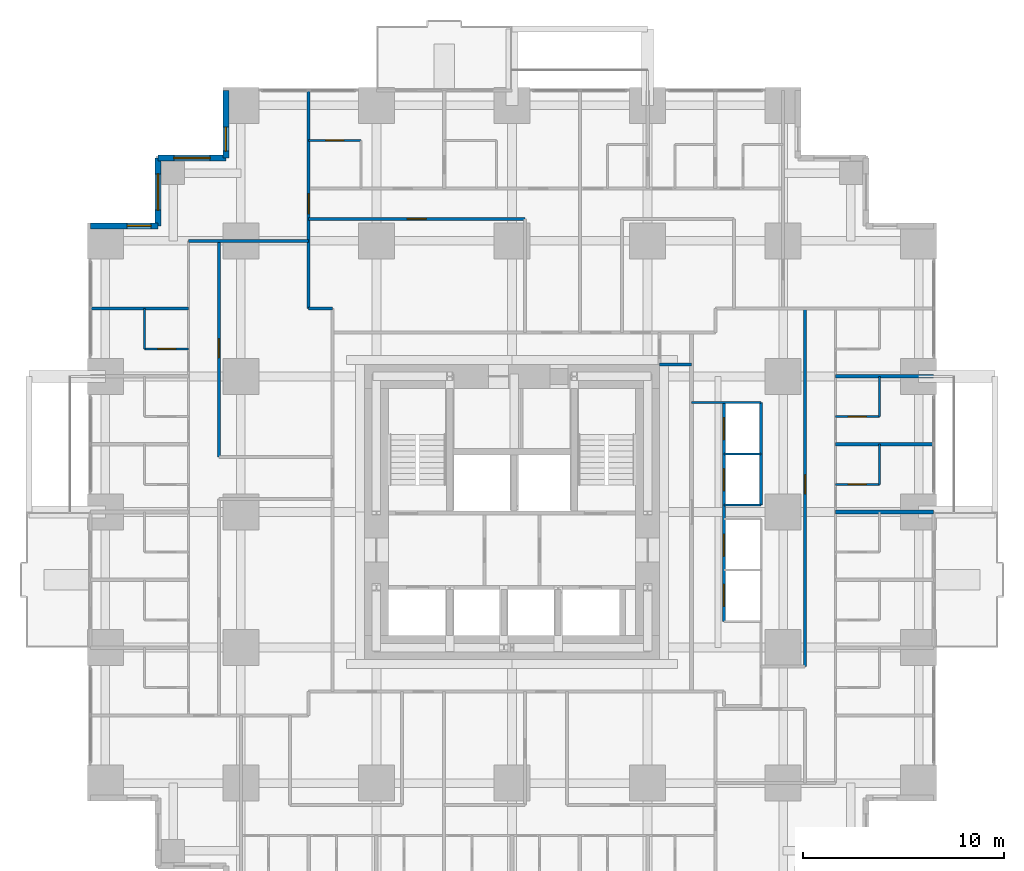
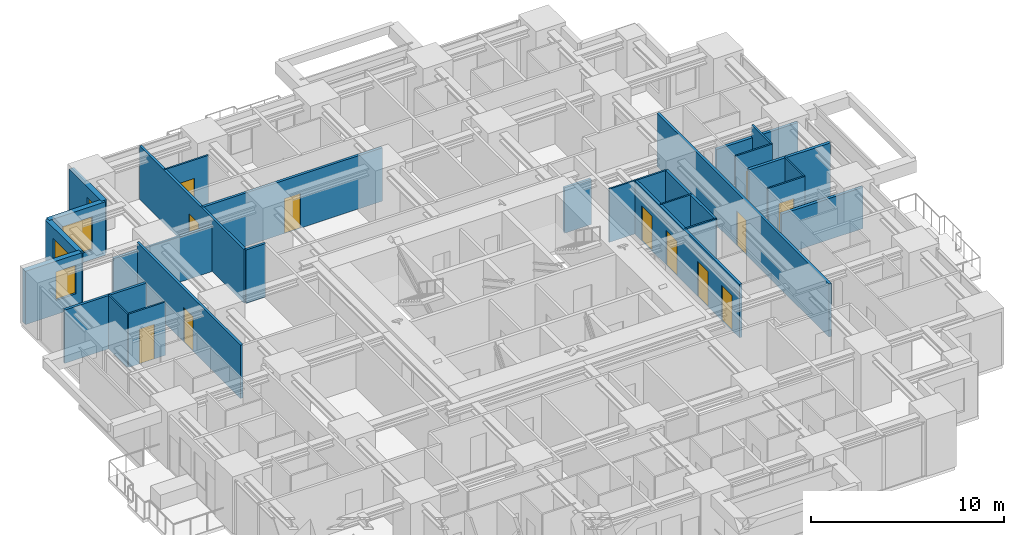
# One storey, part 12 of 15: 27 walls, 12 doors, 4 windows, 16 openings.
"""IFC4 building model written with IfcOpenShell, lengths in metres."""

from ifc_helpers import new_model, si_unit, direction, frame, frame_2d, origin, place, context, subcontext, project, spatial, rectangle, extrude, material, layer, layer_set, type_object, element, fill, save


model = new_model("IFC4")

# Units and contexts
model_context = context("Model", 3, precision=1e-05, world=origin(), true_north=direction((0.0, 1.0)))
body_context = subcontext(model_context, "Body", "Model", "MODEL_VIEW")
ifc_project = project(units=[si_unit("LENGTHUNIT", "METRE"), si_unit("AREAUNIT", "SQUARE_METRE"), si_unit("VOLUMEUNIT", "CUBIC_METRE"), si_unit("PLANEANGLEUNIT", "RADIAN"), si_unit("MASSUNIT", "GRAM", prefix="KILO")], contexts=[model_context])

# Site, building, storey
site_placement = place(None, origin())
site = spatial("IfcSite", under=ifc_project, at=site_placement, CompositionType="ELEMENT")
building_placement = place(site_placement, origin())
building = spatial("IfcBuilding", under=site, at=building_placement, Name="Nyansa Garden Tower", CompositionType="ELEMENT")
storey_placement = place(building_placement, frame((0.0, 0.0, 61.199951171875)))
storey = spatial("IfcBuildingStorey", under=building, at=storey_placement, Name="L16", CompositionType="ELEMENT", Elevation=61.199951171875)

# Walls
ifc_material_1 = material(Name="Dense blockwork, plastered both sides, 55 dB", Category="masonry")
ifc_layer_1 = layer(ifc_material_1, 0.175048828125)
ifc_layer_set_1 = layer_set([ifc_layer_1], Name="Acoustic party wall PW175")
wall_type_1 = type_object("IfcWallType", Name="Acoustic party wall PW175", PredefinedType="PARTITIONING", material=ifc_layer_set_1)
wall_1_placement = place(storey_placement, frame((36.35009765625, 20.25, 0.0), z_axis=(0.0, 0.0, 1.0), x_axis=(1.0, 0.0, 0.0)))
element("IfcWall", 1, at=wall_1_placement, inside=storey, type_object=wall_type_1, Name="Party wall", PredefinedType="PARTITIONING", context=body_context, shape_type="SweptSolid", body=[
    extrude(rectangle(XDim=4.8837890625, YDim=0.175048828125, at=frame_2d((2.44189453125, 0.0))), origin(), (0.0, 0.0, 1.0), 2.610107421875),
])
wall_2_placement = place(storey_placement, frame((36.35009765625, 23.625, 0.0), z_axis=(0.0, 0.0, 1.0), x_axis=(1.0, 0.0, 0.0)))
element("IfcWall", 2, at=wall_2_placement, inside=storey, type_object=wall_type_1, Name="Party wall", PredefinedType="PARTITIONING", context=body_context, shape_type="SweptSolid", body=[
    extrude(rectangle(XDim=4.8837890625, YDim=0.175048828125, at=frame_2d((2.44189453125, 0.0))), origin(), (0.0, 0.0, 1.0), 3.375),
])
wall_3_placement = place(storey_placement, frame((36.35009765625, 27.0, 0.0), z_axis=(0.0, 0.0, 1.0), x_axis=(1.0, 0.0, 0.0)))
element("IfcWall", 3, at=wall_3_placement, inside=storey, type_object=wall_type_1, Name="Party wall", PredefinedType="PARTITIONING", context=body_context, shape_type="SweptSolid", body=[
    extrude(rectangle(XDim=4.8837890625, YDim=0.175048828125, at=frame_2d((2.44189453125, 0.0))), origin(), (0.0, 0.0, 1.0), 2.610107421875),
])
ifc_material_2 = material(Name="Steel-stud shaft wall, two layers fire-rated board, EI 120", Category="steel")
ifc_layer_2 = layer(ifc_material_2, 0.10009765625)
ifc_layer_set_2 = layer_set([ifc_layer_2], Name="Lift shaft wall SW100")
wall_type_2 = type_object("IfcWallType", Name="Lift shaft wall SW100", PredefinedType="SHEAR", material=ifc_layer_set_2)
wall_4_placement = place(storey_placement, frame((29.199951171875, 25.699951171875, 0.0), z_axis=(0.0, 0.0, 1.0), x_axis=(1.0, 0.0, 0.0)))
element("IfcWall", 4, at=wall_4_placement, inside=storey, type_object=wall_type_2, Name="Lift shaft wall", PredefinedType="SHEAR", context=body_context, shape_type="SweptSolid", body=[
    extrude(rectangle(XDim=3.449951171875, YDim=0.10009765625, at=frame_2d((1.72509765625, 0.0))), origin(), (0.0, 0.0, 1.0), 3.375),
])
for number, where, z_axis, x_axis, name in (
    (5, (30.800048828125, 20.60009765625, 0.0), (0.0, 0.0, 1.0), (1.0, 0.0, 0.0), "Lift shaft wall"),
    (6, (30.800048828125, 23.14990234375, 0.0), (0.0, 0.0, 1.0), (1.0, 0.0, 0.0), "Lift shaft wall"),
):
    element("IfcWall", number, at=place(storey_placement, frame(where, z_axis=z_axis, x_axis=x_axis)), inside=storey, type_object=wall_type_2, Name=name, PredefinedType="SHEAR", context=body_context, shape_type="SweptSolid", body=[
        extrude(rectangle(XDim=1.849853515625, YDim=0.10009765625, at=frame_2d((0.9248046875, 0.0))), origin(), (0.0, 0.0, 1.0), 3.375),
    ])
ifc_material_3 = material(Name="Blockwork, plastered both sides", Category="masonry")
ifc_layer_3 = layer(ifc_material_3, 0.14990234375)
ifc_layer_set_3 = layer_set([ifc_layer_3], Name="Partition PW150")
wall_type_3 = type_object("IfcWallType", Name="Partition PW150", PredefinedType="PARTITIONING", material=ifc_layer_set_3)
wall_5_placement = place(storey_placement, frame((-0.73388671875, 30.375, 0.0), z_axis=(0.0, 0.0, 1.0), x_axis=(1.0, 0.0, 0.0)))
element("IfcWall", 7, at=wall_5_placement, inside=storey, type_object=wall_type_3, Name="Partition", PredefinedType="PARTITIONING", context=body_context, shape_type="SweptSolid", body=[
    extrude(rectangle(XDim=4.8837890625, YDim=0.14990234375, at=frame_2d((2.44189453125, 0.0))), origin(), (0.0, 0.0, 1.0), 3.375),
])
wall_6_placement = place(storey_placement, frame((4.14990234375, 33.75, 0.0), z_axis=(0.0, 0.0, 1.0), x_axis=(1.0, 0.0, 0.0)))
element("IfcWall", 8, at=wall_6_placement, inside=storey, type_object=wall_type_3, Name="Partition", PredefinedType="PARTITIONING", context=body_context, shape_type="SweptSolid", body=[
    extrude(rectangle(XDim=5.97509765625, YDim=0.14990234375, at=frame_2d((2.987548828125, 0.0))), origin(), (0.0, 0.0, 1.0), 2.876953125),
])

# Wall, opening, door
wall_7_placement = place(storey_placement, frame((5.64990234375, 22.987548828125, 0.0), z_axis=(0.0, 0.0, 1.0), x_axis=(0.0, 1.0, 0.0)))
wall_7 = element("IfcWall", 9, at=wall_7_placement, inside=storey, type_object=wall_type_3, Name="Partition", PredefinedType="PARTITIONING", context=body_context, shape_type="SweptSolid", body=[
    extrude(rectangle(XDim=10.762451171875, YDim=0.14990234375, at=frame_2d((5.38134765625, 0.0))), origin(), (0.0, 0.0, 1.0), 3.375),
])
opening_1_placement = place(wall_7_placement, frame((4.949951171875, 0.0, 0.0)))
opening_1 = element("IfcOpeningElement", 10, at=opening_1_placement, cuts=wall_7, Name="Opening D01", PredefinedType="OPENING", context=body_context, shape_type="SweptSolid", body=[
    extrude(rectangle(XDim=0.949951171875, YDim=2.199951171875, at=frame_2d((0.47509765625, 1.10009765625))), frame((0.0, 0.0849609375, 0.0), z_axis=(0.0, -1.0, 0.0), x_axis=(1.0, 0.0, 0.0)), (0.0, 0.0, 1.0), 0.169921875),
])
ifc_material_4 = material(Name="Timber flush door, 30 minute fire resisting", Category="wood")
door_type_1 = type_object("IfcDoorType", Name="Bedroom door D01 950x2200", OperationType="SINGLE_SWING_LEFT", PredefinedType="DOOR", material=ifc_material_4)
door_1_placement = place(opening_1_placement, origin())
door_1 = element("IfcDoor", 11, at=door_1_placement, inside=storey, type_object=door_type_1, Name="Door L16-083", OperationType="SINGLE_SWING_LEFT", OverallHeight=2.199951171875, OverallWidth=0.949951171875, PredefinedType="DOOR", context=body_context, shape_type="SweptSolid", body=[
    extrude(rectangle(XDim=0.949951171875, YDim=2.199951171875, at=frame_2d((0.47509765625, 1.10009765625))), frame((0.0, 0.02490234375, 0.0), z_axis=(0.0, -1.0, 0.0), x_axis=(1.0, 0.0, 0.0)), (0.0, 0.0, 1.0), 0.050048828125),
])
fill(opening_1, door_1)

wall_8_placement = place(storey_placement, frame((10.125, 30.375, 0.0), z_axis=(0.0, 0.0, 1.0), x_axis=(0.0, 1.0, 0.0)))
wall_8 = element("IfcWall", 12, at=wall_8_placement, inside=storey, type_object=wall_type_3, Name="Partition", PredefinedType="PARTITIONING", context=body_context, shape_type="SweptSolid", body=[
    extrude(rectangle(XDim=10.85888671875, YDim=0.14990234375, at=frame_2d((5.429443359375, 0.0))), origin(), (0.0, 0.0, 1.0), 3.375),
])
opening_2_placement = place(wall_8_placement, frame((4.72509765625, 0.0, 0.0)))
opening_2 = element("IfcOpeningElement", 13, at=opening_2_placement, cuts=wall_8, Name="Opening D03", PredefinedType="OPENING", context=body_context, shape_type="SweptSolid", body=[
    extrude(rectangle(XDim=1.0, YDim=2.199951171875, at=frame_2d((0.5, 1.10009765625))), frame((0.0, 0.0849609375, 0.0), z_axis=(0.0, -1.0, 0.0), x_axis=(1.0, 0.0, 0.0)), (0.0, 0.0, 1.0), 0.169921875),
])
ifc_material_5 = material(Name="Timber flush door, 60 minute fire resisting", Category="wood")
door_type_2 = type_object("IfcDoorType", Name="Cluster entrance door D03 1000x2200", OperationType="SINGLE_SWING_LEFT", PredefinedType="DOOR", material=ifc_material_5)
door_2_placement = place(opening_2_placement, origin())
door_2 = element("IfcDoor", 14, at=door_2_placement, inside=storey, type_object=door_type_2, Name="Door L16-068", OperationType="SINGLE_SWING_LEFT", OverallHeight=2.199951171875, OverallWidth=1.0, PredefinedType="DOOR", context=body_context, shape_type="SweptSolid", body=[
    extrude(rectangle(XDim=1.0, YDim=2.199951171875, at=frame_2d((0.5, 1.10009765625))), frame((0.0, 0.02490234375, 0.0), z_axis=(0.0, -1.0, 0.0), x_axis=(1.0, 0.0, 0.0)), (0.0, 0.0, 1.0), 0.050048828125),
])
fill(opening_2, door_2)

# Wall
wall_9_placement = place(storey_placement, frame((10.125, 30.375, 0.0), z_axis=(0.0, 0.0, 1.0), x_axis=(1.0, 0.0, 0.0)))
element("IfcWall", 15, at=wall_9_placement, inside=storey, type_object=wall_type_3, Name="Partition", PredefinedType="PARTITIONING", context=body_context, shape_type="SweptSolid", body=[
    extrude(rectangle(XDim=1.175048828125, YDim=0.14990234375, at=frame_2d((0.58740234375, 0.0))), origin(), (0.0, 0.0, 1.0), 3.375),
])

# Wall, opening, door
wall_10_placement = place(storey_placement, frame((10.125, 34.85009765625, 0.0), z_axis=(0.0, 0.0, 1.0), x_axis=(1.0, 0.0, 0.0)))
wall_10 = element("IfcWall", 16, at=wall_10_placement, inside=storey, type_object=wall_type_3, Name="Partition", PredefinedType="PARTITIONING", context=body_context, shape_type="SweptSolid", body=[
    extrude(rectangle(XDim=10.762451171875, YDim=0.14990234375, at=frame_2d((5.38134765625, 0.0))), origin(), (0.0, 0.0, 1.0), 3.375),
])
opening_3_placement = place(wall_10_placement, frame((4.89990234375, 0.0, 0.0)))
opening_3 = element("IfcOpeningElement", 17, at=opening_3_placement, cuts=wall_10, Name="Opening D01", PredefinedType="OPENING", context=body_context, shape_type="SweptSolid", body=[
    extrude(rectangle(XDim=0.949951171875, YDim=2.199951171875, at=frame_2d((0.47509765625, 1.10009765625))), frame((0.0, 0.0849609375, 0.0), z_axis=(0.0, -1.0, 0.0), x_axis=(1.0, 0.0, 0.0)), (0.0, 0.0, 1.0), 0.169921875),
])
door_3_placement = place(opening_3_placement, origin())
door_3 = element("IfcDoor", 18, at=door_3_placement, inside=storey, type_object=door_type_1, Name="Door L16-067", OperationType="SINGLE_SWING_LEFT", OverallHeight=2.199951171875, OverallWidth=0.949951171875, PredefinedType="DOOR", context=body_context, shape_type="SweptSolid", body=[
    extrude(rectangle(XDim=0.949951171875, YDim=2.199951171875, at=frame_2d((0.47509765625, 1.10009765625))), frame((0.0, 0.02490234375, 0.0), z_axis=(0.0, -1.0, 0.0), x_axis=(1.0, 0.0, 0.0)), (0.0, 0.0, 1.0), 0.050048828125),
])
fill(opening_3, door_3)

# Wall
wall_11_placement = place(storey_placement, frame((27.60009765625, 27.60009765625, 0.0), z_axis=(0.0, 0.0, 1.0), x_axis=(1.0, 0.0, 0.0)))
element("IfcWall", 19, at=wall_11_placement, inside=storey, type_object=wall_type_3, Name="Partition", PredefinedType="PARTITIONING", context=body_context, shape_type="SweptSolid", body=[
    extrude(rectangle(XDim=1.599853515625, YDim=0.14990234375, at=frame_2d((0.7998046875, 0.0))), origin(), (0.0, 0.0, 1.0), 2.876953125),
])

# Wall, openings, doors
wall_12_placement = place(storey_placement, frame((30.800048828125, 14.800048828125, 0.0), z_axis=(0.0, 0.0, 1.0), x_axis=(0.0, 1.0, 0.0)))
wall_12 = element("IfcWall", 20, at=wall_12_placement, inside=storey, type_object=wall_type_3, Name="Partition", PredefinedType="PARTITIONING", context=body_context, shape_type="SweptSolid", body=[
    extrude(rectangle(XDim=10.89990234375, YDim=0.14990234375, at=frame_2d((5.449951171875, 0.0))), origin(), (0.0, 0.0, 1.0), 3.375),
])
opening_4_placement = place(wall_12_placement, frame((0.75, 0.0, 0.0)))
opening_4 = element("IfcOpeningElement", 21, at=opening_4_placement, cuts=wall_12, Name="Opening LD-A", PredefinedType="OPENING", context=body_context, shape_type="SweptSolid", body=[
    extrude(rectangle(XDim=1.10009765625, YDim=2.199951171875, at=frame_2d((0.550048828125, 1.10009765625))), frame((0.0, 0.0849609375, 0.0), z_axis=(0.0, -1.0, 0.0), x_axis=(1.0, 0.0, 0.0)), (0.0, 0.0, 1.0), 0.169921875),
])
opening_5_placement = place(wall_12_placement, frame((3.25, 0.0, 0.0)))
opening_5 = element("IfcOpeningElement", 22, at=opening_5_placement, cuts=wall_12, Name="Opening LD-A", PredefinedType="OPENING", context=body_context, shape_type="SweptSolid", body=[
    extrude(rectangle(XDim=1.10009765625, YDim=2.199951171875, at=frame_2d((0.550048828125, 1.10009765625))), frame((0.0, 0.0849609375, 0.0), z_axis=(0.0, -1.0, 0.0), x_axis=(1.0, 0.0, 0.0)), (0.0, 0.0, 1.0), 0.169921875),
])
opening_6_placement = place(wall_12_placement, frame((6.5, 0.0, 0.0)))
opening_6 = element("IfcOpeningElement", 23, at=opening_6_placement, cuts=wall_12, Name="Opening LD-A", PredefinedType="OPENING", context=body_context, shape_type="SweptSolid", body=[
    extrude(rectangle(XDim=1.10009765625, YDim=2.199951171875, at=frame_2d((0.550048828125, 1.10009765625))), frame((0.0, 0.0849609375, 0.0), z_axis=(0.0, -1.0, 0.0), x_axis=(1.0, 0.0, 0.0)), (0.0, 0.0, 1.0), 0.169921875),
])
opening_7_placement = place(wall_12_placement, frame((9.050048828125, 0.0, 0.0)))
opening_7 = element("IfcOpeningElement", 24, at=opening_7_placement, cuts=wall_12, Name="Opening LD-A", PredefinedType="OPENING", context=body_context, shape_type="SweptSolid", body=[
    extrude(rectangle(XDim=1.10009765625, YDim=2.199951171875, at=frame_2d((0.550048828125, 1.10009765625))), frame((0.0, 0.0849609375, 0.0), z_axis=(0.0, -1.0, 0.0), x_axis=(1.0, 0.0, 0.0)), (0.0, 0.0, 1.0), 0.169921875),
])
ifc_material_6 = material(Name="Stainless steel centre-opening landing door of the low-rise lift, E 120", Category="steel")
door_type_3 = type_object("IfcDoorType", Name="Lift landing door LD-A 1100x2200", OperationType="DOUBLE_DOOR_SLIDING", PredefinedType="DOOR", material=ifc_material_6)
door_4_placement = place(opening_4_placement, origin())
door_4 = element("IfcDoor", 25, at=door_4_placement, inside=storey, type_object=door_type_3, Name="Landing door A1", OperationType="DOUBLE_DOOR_SLIDING", OverallHeight=2.199951171875, OverallWidth=1.10009765625, PredefinedType="DOOR", context=body_context, shape_type="SweptSolid", body=[
    extrude(rectangle(XDim=1.10009765625, YDim=2.199951171875, at=frame_2d((0.550048828125, 1.10009765625))), frame((0.0, 0.02490234375, 0.0), z_axis=(0.0, -1.0, 0.0), x_axis=(1.0, 0.0, 0.0)), (0.0, 0.0, 1.0), 0.050048828125),
])
fill(opening_4, door_4)
door_5_placement = place(opening_5_placement, origin())
door_5 = element("IfcDoor", 26, at=door_5_placement, inside=storey, type_object=door_type_3, Name="Landing door A2", OperationType="DOUBLE_DOOR_SLIDING", OverallHeight=2.199951171875, OverallWidth=1.10009765625, PredefinedType="DOOR", context=body_context, shape_type="SweptSolid", body=[
    extrude(rectangle(XDim=1.10009765625, YDim=2.199951171875, at=frame_2d((0.550048828125, 1.10009765625))), frame((0.0, 0.02490234375, 0.0), z_axis=(0.0, -1.0, 0.0), x_axis=(1.0, 0.0, 0.0)), (0.0, 0.0, 1.0), 0.050048828125),
])
fill(opening_5, door_5)
door_6_placement = place(opening_6_placement, origin())
door_6 = element("IfcDoor", 27, at=door_6_placement, inside=storey, type_object=door_type_3, Name="Landing door A3", OperationType="DOUBLE_DOOR_SLIDING", OverallHeight=2.199951171875, OverallWidth=1.10009765625, PredefinedType="DOOR", context=body_context, shape_type="SweptSolid", body=[
    extrude(rectangle(XDim=1.10009765625, YDim=2.199951171875, at=frame_2d((0.550048828125, 1.10009765625))), frame((0.0, 0.02490234375, 0.0), z_axis=(0.0, -1.0, 0.0), x_axis=(1.0, 0.0, 0.0)), (0.0, 0.0, 1.0), 0.050048828125),
])
fill(opening_6, door_6)
door_7_placement = place(opening_7_placement, origin())
door_7 = element("IfcDoor", 28, at=door_7_placement, inside=storey, type_object=door_type_3, Name="Landing door A4", OperationType="DOUBLE_DOOR_SLIDING", OverallHeight=2.199951171875, OverallWidth=1.10009765625, PredefinedType="DOOR", context=body_context, shape_type="SweptSolid", body=[
    extrude(rectangle(XDim=1.10009765625, YDim=2.199951171875, at=frame_2d((0.550048828125, 1.10009765625))), frame((0.0, 0.02490234375, 0.0), z_axis=(0.0, -1.0, 0.0), x_axis=(1.0, 0.0, 0.0)), (0.0, 0.0, 1.0), 0.050048828125),
])
fill(opening_7, door_7)

# Wall
wall_13_placement = place(storey_placement, frame((32.64990234375, 20.60009765625, 0.0), z_axis=(0.0, 0.0, 1.0), x_axis=(0.0, 1.0, 0.0)))
element("IfcWall", 29, at=wall_13_placement, inside=storey, type_object=wall_type_3, Name="Partition", PredefinedType="PARTITIONING", context=body_context, shape_type="SweptSolid", body=[
    extrude(rectangle(XDim=5.099853515625, YDim=0.14990234375, at=frame_2d((2.5498046875, 0.0))), origin(), (0.0, 0.0, 1.0), 3.375),
])

# Wall, opening, door
wall_14_placement = place(storey_placement, frame((34.85009765625, 12.550048828125, 0.0), z_axis=(0.0, 0.0, 1.0), x_axis=(0.0, 1.0, 0.0)))
wall_14 = element("IfcWall", 30, at=wall_14_placement, inside=storey, type_object=wall_type_3, Name="Partition", PredefinedType="PARTITIONING", context=body_context, shape_type="SweptSolid", body=[
    extrude(rectangle(XDim=17.824951171875, YDim=0.14990234375, at=frame_2d((8.91259765625, 0.0))), origin(), (0.0, 0.0, 1.0), 3.375),
])
opening_8_placement = place(wall_14_placement, frame((8.60009765625, 0.0, 0.0)))
opening_8 = element("IfcOpeningElement", 31, at=opening_8_placement, cuts=wall_14, Name="Opening D01", PredefinedType="OPENING", context=body_context, shape_type="SweptSolid", body=[
    extrude(rectangle(XDim=0.949951171875, YDim=2.199951171875, at=frame_2d((0.47509765625, 1.10009765625))), frame((0.0, 0.0849609375, 0.0), z_axis=(0.0, -1.0, 0.0), x_axis=(1.0, 0.0, 0.0)), (0.0, 0.0, 1.0), 0.169921875),
])
door_8_placement = place(opening_8_placement, origin())
door_8 = element("IfcDoor", 32, at=door_8_placement, inside=storey, type_object=door_type_1, Name="Door L16-051", OperationType="SINGLE_SWING_LEFT", OverallHeight=2.199951171875, OverallWidth=0.949951171875, PredefinedType="DOOR", context=body_context, shape_type="SweptSolid", body=[
    extrude(rectangle(XDim=0.949951171875, YDim=2.199951171875, at=frame_2d((0.47509765625, 1.10009765625))), frame((0.0, 0.02490234375, 0.0), z_axis=(0.0, -1.0, 0.0), x_axis=(1.0, 0.0, 0.0)), (0.0, 0.0, 1.0), 0.050048828125),
])
fill(opening_8, door_8)

# Wall, opening, window
ifc_material_7 = material(Name="Turquoise glazed tile on concrete blockwork", Category="masonry")
ifc_layer_4 = layer(ifc_material_7, 0.300048828125)
ifc_layer_set_4 = layer_set([ifc_layer_4], Name="Tiled corner wall TW300")
wall_type_4 = type_object("IfcWallType", Name="Tiled corner wall TW300", PredefinedType="SOLIDWALL", material=ifc_layer_set_4)
wall_15_placement = place(storey_placement, frame((6.0, 41.25, 0.0), z_axis=(0.0, 0.0, 1.0), x_axis=(0.0, -1.0, 0.0)))
wall_15 = element("IfcWall", 33, at=wall_15_placement, inside=storey, type_object=wall_type_4, Name="Tiled corner wall L16", PredefinedType="SOLIDWALL", context=body_context, shape_type="SweptSolid", body=[
    extrude(rectangle(XDim=3.375, YDim=0.300048828125, at=frame_2d((1.6875, 0.0))), origin(), (0.0, 0.0, 1.0), 3.375),
])
opening_9_placement = place(wall_15_placement, frame((1.83251953125, 0.0, 0.89990234375)))
opening_9 = element("IfcOpeningElement", 34, at=opening_9_placement, cuts=wall_15, Name="Opening W4", PredefinedType="OPENING", context=body_context, shape_type="SweptSolid", body=[
    extrude(rectangle(XDim=1.199951171875, YDim=1.800048828125, at=frame_2d((0.60009765625, 0.89990234375))), frame((0.0, 0.159912109375, 0.0), z_axis=(0.0, -1.0, 0.0), x_axis=(1.0, 0.0, 0.0)), (0.0, 0.0, 1.0), 0.320068359375),
])
ifc_material_8 = material(Name="Black aluminium frame, dark tinted double glazing", Category="aluminium")
window_type_1 = type_object("IfcWindowType", Name="Window W4 1200x1800", PartitioningType="SINGLE_PANEL", PredefinedType="WINDOW", material=ifc_material_8)
window_1_placement = place(opening_9_placement, origin())
window_1 = element("IfcWindow", 35, at=window_1_placement, inside=storey, type_object=window_type_1, Name="Corner window L16", OverallHeight=1.800048828125, OverallWidth=1.199951171875, PartitioningType="SINGLE_PANEL", PredefinedType="WINDOW", context=body_context, shape_type="SweptSolid", body=[
    extrude(rectangle(XDim=1.199951171875, YDim=1.800048828125, at=frame_2d((0.60009765625, 0.89990234375))), frame((0.0, 0.030029296875, 0.0), z_axis=(0.0, -1.0, 0.0), x_axis=(1.0, 0.0, 0.0)), (0.0, 0.0, 1.0), 0.06005859375),
])
fill(opening_9, window_1)

wall_16_placement = place(storey_placement, frame((6.0, 37.875, 0.0), z_axis=(0.0, 0.0, 1.0), x_axis=(-1.0, 0.0, 0.0)))
wall_16 = element("IfcWall", 36, at=wall_16_placement, inside=storey, type_object=wall_type_4, Name="Tiled corner wall L16", PredefinedType="SOLIDWALL", context=body_context, shape_type="SweptSolid", body=[
    extrude(rectangle(XDim=3.375, YDim=0.300048828125, at=frame_2d((1.6875, 0.0))), origin(), (0.0, 0.0, 1.0), 3.375),
])
opening_10_placement = place(wall_16_placement, frame((0.78759765625, 0.0, 0.60009765625)))
opening_10 = element("IfcOpeningElement", 37, at=opening_10_placement, cuts=wall_16, Name="Opening W2", PredefinedType="OPENING", context=body_context, shape_type="SweptSolid", body=[
    extrude(rectangle(XDim=1.800048828125, YDim=2.10009765625, at=frame_2d((0.89990234375, 1.050048828125))), frame((0.0, 0.159912109375, 0.0), z_axis=(0.0, -1.0, 0.0), x_axis=(1.0, 0.0, 0.0)), (0.0, 0.0, 1.0), 0.320068359375),
])
ifc_material_9 = material(Name="Black aluminium frame, dark tinted double glazing", Category="aluminium")
window_type_2 = type_object("IfcWindowType", Name="Window W2 1800x2100", PartitioningType="SINGLE_PANEL", PredefinedType="WINDOW", material=ifc_material_9)
window_2_placement = place(opening_10_placement, origin())
window_2 = element("IfcWindow", 38, at=window_2_placement, inside=storey, type_object=window_type_2, Name="Corner window L16", OverallHeight=2.10009765625, OverallWidth=1.800048828125, PartitioningType="SINGLE_PANEL", PredefinedType="WINDOW", context=body_context, shape_type="SweptSolid", body=[
    extrude(rectangle(XDim=1.800048828125, YDim=2.10009765625, at=frame_2d((0.89990234375, 1.050048828125))), frame((0.0, 0.030029296875, 0.0), z_axis=(0.0, -1.0, 0.0), x_axis=(1.0, 0.0, 0.0)), (0.0, 0.0, 1.0), 0.06005859375),
])
fill(opening_10, window_2)

wall_17_placement = place(storey_placement, frame((2.625, 37.875, 0.0), z_axis=(0.0, 0.0, 1.0), x_axis=(0.0, -1.0, 0.0)))
wall_17 = element("IfcWall", 39, at=wall_17_placement, inside=storey, type_object=wall_type_4, Name="Tiled corner wall L16", PredefinedType="SOLIDWALL", context=body_context, shape_type="SweptSolid", body=[
    extrude(rectangle(XDim=3.375, YDim=0.300048828125, at=frame_2d((1.6875, 0.0))), origin(), (0.0, 0.0, 1.0), 3.375),
])
opening_11_placement = place(wall_17_placement, frame((0.78759765625, 0.0, 0.60009765625)))
opening_11 = element("IfcOpeningElement", 40, at=opening_11_placement, cuts=wall_17, Name="Opening W2", PredefinedType="OPENING", context=body_context, shape_type="SweptSolid", body=[
    extrude(rectangle(XDim=1.800048828125, YDim=2.10009765625, at=frame_2d((0.89990234375, 1.050048828125))), frame((0.0, 0.159912109375, 0.0), z_axis=(0.0, -1.0, 0.0), x_axis=(1.0, 0.0, 0.0)), (0.0, 0.0, 1.0), 0.320068359375),
])
window_3_placement = place(opening_11_placement, origin())
window_3 = element("IfcWindow", 41, at=window_3_placement, inside=storey, type_object=window_type_2, Name="Corner window L16", OverallHeight=2.10009765625, OverallWidth=1.800048828125, PartitioningType="SINGLE_PANEL", PredefinedType="WINDOW", context=body_context, shape_type="SweptSolid", body=[
    extrude(rectangle(XDim=1.800048828125, YDim=2.10009765625, at=frame_2d((0.89990234375, 1.050048828125))), frame((0.0, 0.030029296875, 0.0), z_axis=(0.0, -1.0, 0.0), x_axis=(1.0, 0.0, 0.0)), (0.0, 0.0, 1.0), 0.06005859375),
])
fill(opening_11, window_3)

wall_18_placement = place(storey_placement, frame((2.625, 34.5, 0.0), z_axis=(0.0, 0.0, 1.0), x_axis=(-1.0, 0.0, 0.0)))
wall_18 = element("IfcWall", 42, at=wall_18_placement, inside=storey, type_object=wall_type_4, Name="Tiled corner wall L16", PredefinedType="SOLIDWALL", context=body_context, shape_type="SweptSolid", body=[
    extrude(rectangle(XDim=3.375, YDim=0.300048828125, at=frame_2d((1.6875, 0.0))), origin(), (0.0, 0.0, 1.0), 3.375),
])
opening_12_placement = place(wall_18_placement, frame((0.342529296875, 0.0, 0.89990234375)))
opening_12 = element("IfcOpeningElement", 43, at=opening_12_placement, cuts=wall_18, Name="Opening W4", PredefinedType="OPENING", context=body_context, shape_type="SweptSolid", body=[
    extrude(rectangle(XDim=1.199951171875, YDim=1.800048828125, at=frame_2d((0.60009765625, 0.89990234375))), frame((0.0, 0.159912109375, 0.0), z_axis=(0.0, -1.0, 0.0), x_axis=(1.0, 0.0, 0.0)), (0.0, 0.0, 1.0), 0.320068359375),
])
window_4_placement = place(opening_12_placement, origin())
window_4 = element("IfcWindow", 44, at=window_4_placement, inside=storey, type_object=window_type_1, Name="Corner window L16", OverallHeight=1.800048828125, OverallWidth=1.199951171875, PartitioningType="SINGLE_PANEL", PredefinedType="WINDOW", context=body_context, shape_type="SweptSolid", body=[
    extrude(rectangle(XDim=1.199951171875, YDim=1.800048828125, at=frame_2d((0.60009765625, 0.89990234375))), frame((0.0, 0.030029296875, 0.0), z_axis=(0.0, -1.0, 0.0), x_axis=(1.0, 0.0, 0.0)), (0.0, 0.0, 1.0), 0.06005859375),
])
fill(opening_12, window_4)

# Wall
ifc_material_10 = material(Name="Moisture resistant board on steel studs, tiled", Category="steel")
ifc_layer_5 = layer(ifc_material_10, 0.10009765625)
ifc_layer_set_5 = layer_set([ifc_layer_5], Name="Wet wall PW100")
wall_type_5 = type_object("IfcWallType", Name="Wet wall PW100", PredefinedType="PARTITIONING", material=ifc_layer_set_5)
wall_19_placement = place(storey_placement, frame((1.949951171875, 28.375, 0.0), z_axis=(0.0, 0.0, 1.0), x_axis=(0.0, 1.0, 0.0)))
element("IfcWall", 45, at=wall_19_placement, inside=storey, type_object=wall_type_5, Name="Wet wall", PredefinedType="PARTITIONING", context=body_context, shape_type="SweptSolid", body=[
    extrude(rectangle(XDim=2.0, YDim=0.10009765625, at=frame_2d((1.0, 0.0))), origin(), (0.0, 0.0, 1.0), 3.375),
])

# Wall, opening, door
wall_20_placement = place(storey_placement, frame((1.949951171875, 28.375, 0.0), z_axis=(0.0, 0.0, 1.0), x_axis=(1.0, 0.0, 0.0)))
wall_20 = element("IfcWall", 46, at=wall_20_placement, inside=storey, type_object=wall_type_5, Name="Wet wall", PredefinedType="PARTITIONING", context=body_context, shape_type="SweptSolid", body=[
    extrude(rectangle(XDim=2.199951171875, YDim=0.10009765625, at=frame_2d((1.10009765625, 0.0))), origin(), (0.0, 0.0, 1.0), 3.375),
])
opening_13_placement = place(wall_20_placement, frame((0.64990234375, 0.0, 0.0)))
opening_13 = element("IfcOpeningElement", 47, at=opening_13_placement, cuts=wall_20, Name="Opening D02", PredefinedType="OPENING", context=body_context, shape_type="SweptSolid", body=[
    extrude(rectangle(XDim=0.89990234375, YDim=2.199951171875, at=frame_2d((0.449951171875, 1.10009765625))), frame((0.0, 0.06005859375, 0.0), z_axis=(0.0, -1.0, 0.0), x_axis=(1.0, 0.0, 0.0)), (0.0, 0.0, 1.0), 0.1201171875),
])
ifc_material_11 = material(Name="Timber flush door", Category="wood")
door_type_4 = type_object("IfcDoorType", Name="En-suite door D02 900x2200", OperationType="SINGLE_SWING_RIGHT", PredefinedType="DOOR", material=ifc_material_11)
door_9_placement = place(opening_13_placement, origin())
door_9 = element("IfcDoor", 48, at=door_9_placement, inside=storey, type_object=door_type_4, Name="Door L16-080", OperationType="SINGLE_SWING_RIGHT", OverallHeight=2.199951171875, OverallWidth=0.89990234375, PredefinedType="DOOR", context=body_context, shape_type="SweptSolid", body=[
    extrude(rectangle(XDim=0.89990234375, YDim=2.199951171875, at=frame_2d((0.449951171875, 1.10009765625))), frame((0.0, 0.02490234375, 0.0), z_axis=(0.0, -1.0, 0.0), x_axis=(1.0, 0.0, 0.0)), (0.0, 0.0, 1.0), 0.050048828125),
])
fill(opening_13, door_9)

wall_21_placement = place(storey_placement, frame((10.125, 38.75, 0.0), z_axis=(0.0, 0.0, 1.0), x_axis=(1.0, 0.0, 0.0)))
wall_21 = element("IfcWall", 49, at=wall_21_placement, inside=storey, type_object=wall_type_5, Name="Wet wall", PredefinedType="PARTITIONING", context=body_context, shape_type="SweptSolid", body=[
    extrude(rectangle(XDim=2.60009765625, YDim=0.10009765625, at=frame_2d((1.300048828125, 0.0))), origin(), (0.0, 0.0, 1.0), 3.375),
])
opening_14_placement = place(wall_21_placement, frame((0.85009765625, 0.0, 0.0)))
opening_14 = element("IfcOpeningElement", 50, at=opening_14_placement, cuts=wall_21, Name="Opening D02", PredefinedType="OPENING", context=body_context, shape_type="SweptSolid", body=[
    extrude(rectangle(XDim=0.89990234375, YDim=2.199951171875, at=frame_2d((0.449951171875, 1.10009765625))), frame((0.0, 0.06005859375, 0.0), z_axis=(0.0, -1.0, 0.0), x_axis=(1.0, 0.0, 0.0)), (0.0, 0.0, 1.0), 0.1201171875),
])
door_10_placement = place(opening_14_placement, origin())
door_10 = element("IfcDoor", 51, at=door_10_placement, inside=storey, type_object=door_type_4, Name="Door L16-062", OperationType="SINGLE_SWING_RIGHT", OverallHeight=2.199951171875, OverallWidth=0.89990234375, PredefinedType="DOOR", context=body_context, shape_type="SweptSolid", body=[
    extrude(rectangle(XDim=0.89990234375, YDim=2.199951171875, at=frame_2d((0.449951171875, 1.10009765625))), frame((0.0, 0.02490234375, 0.0), z_axis=(0.0, -1.0, 0.0), x_axis=(1.0, 0.0, 0.0)), (0.0, 0.0, 1.0), 0.050048828125),
])
fill(opening_14, door_10)

wall_22_placement = place(storey_placement, frame((36.35009765625, 21.625, 0.0), z_axis=(0.0, 0.0, 1.0), x_axis=(1.0, 0.0, 0.0)))
wall_22 = element("IfcWall", 52, at=wall_22_placement, inside=storey, type_object=wall_type_5, Name="Wet wall", PredefinedType="PARTITIONING", context=body_context, shape_type="SweptSolid", body=[
    extrude(rectangle(XDim=2.199951171875, YDim=0.10009765625, at=frame_2d((1.10009765625, 0.0))), origin(), (0.0, 0.0, 1.0), 3.375),
])
opening_15_placement = place(wall_22_placement, frame((0.64990234375, 0.0, 0.0)))
opening_15 = element("IfcOpeningElement", 53, at=opening_15_placement, cuts=wall_22, Name="Opening D02", PredefinedType="OPENING", context=body_context, shape_type="SweptSolid", body=[
    extrude(rectangle(XDim=0.89990234375, YDim=2.199951171875, at=frame_2d((0.449951171875, 1.10009765625))), frame((0.0, 0.06005859375, 0.0), z_axis=(0.0, -1.0, 0.0), x_axis=(1.0, 0.0, 0.0)), (0.0, 0.0, 1.0), 0.1201171875),
])
door_11_placement = place(opening_15_placement, origin())
door_11 = element("IfcDoor", 54, at=door_11_placement, inside=storey, type_object=door_type_4, Name="Door L16-045", OperationType="SINGLE_SWING_RIGHT", OverallHeight=2.199951171875, OverallWidth=0.89990234375, PredefinedType="DOOR", context=body_context, shape_type="SweptSolid", body=[
    extrude(rectangle(XDim=0.89990234375, YDim=2.199951171875, at=frame_2d((0.449951171875, 1.10009765625))), frame((0.0, 0.02490234375, 0.0), z_axis=(0.0, -1.0, 0.0), x_axis=(1.0, 0.0, 0.0)), (0.0, 0.0, 1.0), 0.050048828125),
])
fill(opening_15, door_11)

wall_23_placement = place(storey_placement, frame((36.35009765625, 25.0, 0.0), z_axis=(0.0, 0.0, 1.0), x_axis=(1.0, 0.0, 0.0)))
wall_23 = element("IfcWall", 55, at=wall_23_placement, inside=storey, type_object=wall_type_5, Name="Wet wall", PredefinedType="PARTITIONING", context=body_context, shape_type="SweptSolid", body=[
    extrude(rectangle(XDim=2.199951171875, YDim=0.10009765625, at=frame_2d((1.10009765625, 0.0))), origin(), (0.0, 0.0, 1.0), 3.375),
])
opening_16_placement = place(wall_23_placement, frame((0.64990234375, 0.0, 0.0)))
opening_16 = element("IfcOpeningElement", 56, at=opening_16_placement, cuts=wall_23, Name="Opening D02", PredefinedType="OPENING", context=body_context, shape_type="SweptSolid", body=[
    extrude(rectangle(XDim=0.89990234375, YDim=2.199951171875, at=frame_2d((0.449951171875, 1.10009765625))), frame((0.0, 0.06005859375, 0.0), z_axis=(0.0, -1.0, 0.0), x_axis=(1.0, 0.0, 0.0)), (0.0, 0.0, 1.0), 0.1201171875),
])
door_12_placement = place(opening_16_placement, origin())
door_12 = element("IfcDoor", 57, at=door_12_placement, inside=storey, type_object=door_type_4, Name="Door L16-047", OperationType="SINGLE_SWING_RIGHT", OverallHeight=2.199951171875, OverallWidth=0.89990234375, PredefinedType="DOOR", context=body_context, shape_type="SweptSolid", body=[
    extrude(rectangle(XDim=0.89990234375, YDim=2.199951171875, at=frame_2d((0.449951171875, 1.10009765625))), frame((0.0, 0.02490234375, 0.0), z_axis=(0.0, -1.0, 0.0), x_axis=(1.0, 0.0, 0.0)), (0.0, 0.0, 1.0), 0.050048828125),
])
fill(opening_16, door_12)

# Walls
for number, where, z_axis, x_axis, name in (
    (58, (38.550048828125, 21.625, 0.0), (0.0, 0.0, 1.0), (0.0, 1.0, 0.0), "Wet wall"),
    (59, (38.550048828125, 25.0, 0.0), (0.0, 0.0, 1.0), (0.0, 1.0, 0.0), "Wet wall"),
):
    element("IfcWall", number, at=place(storey_placement, frame(where, z_axis=z_axis, x_axis=x_axis)), inside=storey, type_object=wall_type_5, Name=name, PredefinedType="PARTITIONING", context=body_context, shape_type="SweptSolid", body=[
        extrude(rectangle(XDim=2.0, YDim=0.10009765625, at=frame_2d((1.0, 0.0))), origin(), (0.0, 0.0, 1.0), 3.375),
    ])

save(model, "model.ifc")
